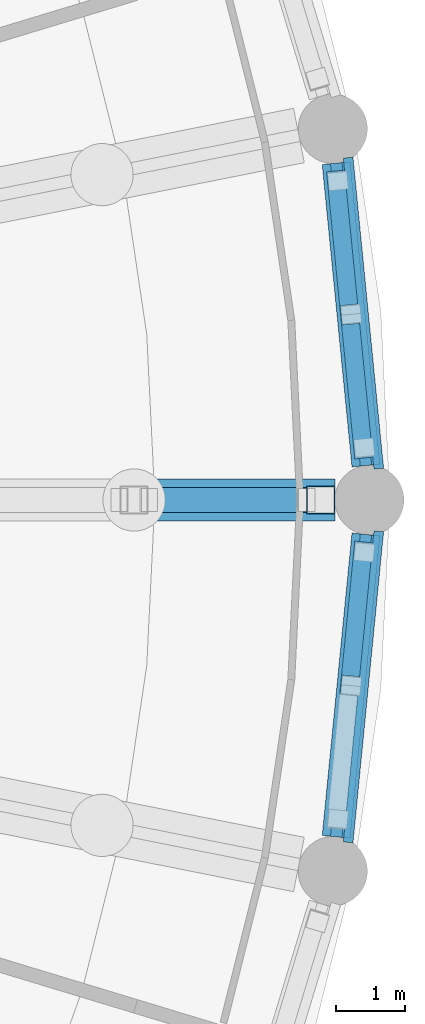
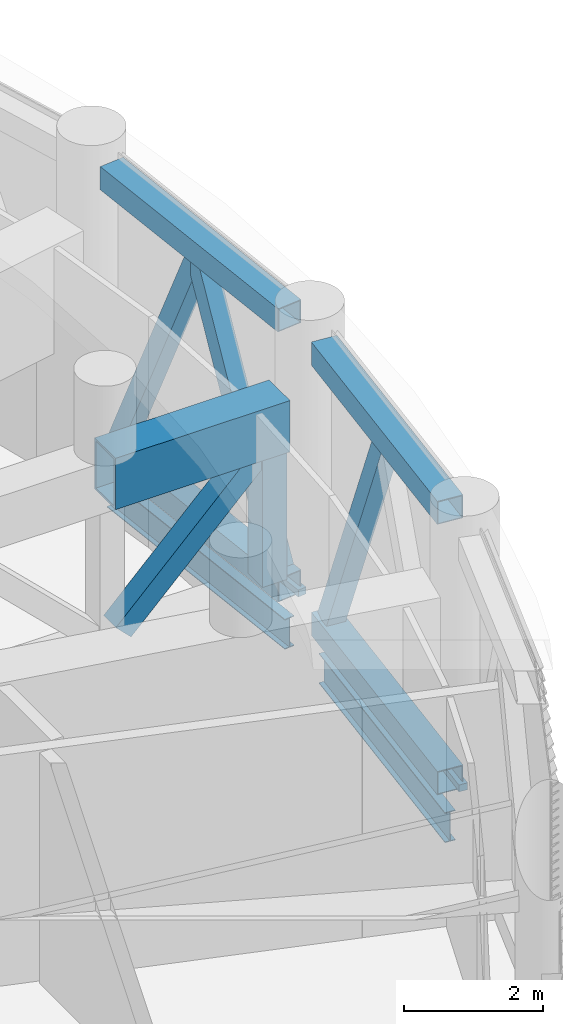
# One storey, part 5 of 24: 12 members, 2 beams, 2 elements without a shape of their own.
"""IFC4 building model written with IfcOpenShell, lengths in metres."""

from ifc_helpers import new_model, si_unit, direction, frame, origin, origin_2d, place, context, subcontext, project, spatial, rectangle, hollow_rectangle, i_section, extrude, material, material_profile, profile_set, type_object, element, aggregate, save


model = new_model("IFC4")

# Units and contexts
model_context = context("Model", 3, precision=1e-05, world=origin(), true_north=direction((0.0, 1.0)))
body_context = subcontext(model_context, "Body", "Model", "MODEL_VIEW")
ifc_project = project(units=[si_unit("LENGTHUNIT", "METRE"), si_unit("AREAUNIT", "SQUARE_METRE"), si_unit("VOLUMEUNIT", "CUBIC_METRE"), si_unit("PLANEANGLEUNIT", "RADIAN"), si_unit("MASSUNIT", "GRAM", prefix="KILO")], contexts=[model_context])

# Site, building, storey
site_placement = place(None, origin())
site = spatial("IfcSite", under=ifc_project, at=site_placement, CompositionType="ELEMENT")
building_placement = place(site_placement, origin())
building = spatial("IfcBuilding", under=site, at=building_placement, Name="Corvane Civic Tower", CompositionType="ELEMENT")
storey_placement = place(building_placement, frame((0.0, 0.0, 257.5)))
storey = spatial("IfcBuildingStorey", under=building, at=storey_placement, Name="L61", CompositionType="ELEMENT", Elevation=257.5)

# Members
ifc_material_1 = material(Name="Steel ASTM A500 Gr C", Category="steel")
ifc_material_profile_1 = material_profile(ifc_material_1, hollow_rectangle(XDim=0.406494140625, YDim=0.406494140625, WallThickness=0.0146484375, at=origin_2d()), Name="HSS16X16X5/8")
ifc_profile_set_1 = profile_set([ifc_material_profile_1], Name="Steel ASTM A500 Gr C")
member_type_1 = type_object("IfcMemberType", Name="BELT CHORD HSS16X16X5/8", PredefinedType="CHORD", material=ifc_profile_set_1)
for number, where, z_axis, x_axis, name in (
    (1, (27.020751953125, 4.867431640625, 4.94677734375), (0.097967711281, -0.995189593769, 0.0), (0.995189593769, 0.097967711281, 0.0), "Belt truss BT-L61"),
    (2, (27.020751953125, 4.867431640625, 0.203125), (0.097967711281, -0.995189593769, 0.0), (0.995189593769, 0.097967711281, 0.0), "Belt truss BT-L61"),
    (3, (27.450927734375, -0.49755859375, 4.94677734375), (-0.097967711281, -0.995189593769, 0.0), (0.995189593769, -0.097967711281, 0.0), "Belt truss BT-L61"),
    (4, (27.450927734375, -0.49755859375, 0.203125), (-0.097967711281, -0.995189593769, 0.0), (0.995189593769, -0.097967711281, 0.0), "Belt truss BT-L61"),
):
    element("IfcMember", number, at=place(storey_placement, frame(where, z_axis=z_axis, x_axis=x_axis)), inside=storey, type_object=member_type_1, Name=name, PredefinedType="CHORD", context=body_context, shape_type="SweptSolid", body=[
        extrude(hollow_rectangle(XDim=0.406494140625, YDim=0.406494140625, WallThickness=0.0146484375, at=origin_2d()), origin(), (0.0, 0.0, 1.0), 4.39111328125),
    ])
ifc_material_2 = material(Name="Steel ASTM A500 Gr C", Category="steel")
ifc_material_profile_2 = material_profile(ifc_material_2, hollow_rectangle(XDim=0.3046875, YDim=0.3046875, WallThickness=0.01171875, at=origin_2d()), Name="HSS12X12X1/2")
ifc_profile_set_2 = profile_set([ifc_material_profile_2], Name="Steel ASTM A500 Gr C")
member_type_2 = type_object("IfcMemberType", Name="BELT DIAGONAL HSS12X12X1/2", PredefinedType="BRACE", material=ifc_profile_set_2)
member_1_placement = place(storey_placement, frame((27.045166015625, 4.61865234375, 0.406494140625), z_axis=(0.040112508344, -0.407288336964, 0.912418323603), x_axis=(0.995185177501, 0.098012562879, 0.0)))
element("IfcMember", 5, at=member_1_placement, inside=storey, type_object=member_type_2, Name="Belt truss BT-L61", PredefinedType="BRACE", context=body_context, shape_type="SweptSolid", body=[
    extrude(hollow_rectangle(XDim=0.3046875, YDim=0.3046875, WallThickness=0.01171875, at=origin_2d()), origin(), (0.0, 0.0, 1.0), 4.75341796875),
])
for number, where, z_axis, x_axis, name in (
    (6, (27.426513671875, 0.746337890625, 0.406494140625), (-0.040111669224, 0.407331176201, 0.912399236566), (-0.99518638285, -0.098000323415, 0.0), "Belt truss BT-L61"),
    (7, (27.426513671875, -0.746337890625, 0.406494140625), (-0.040111669224, -0.407331176201, 0.912399236566), (0.99518638285, -0.098000323415, 0.0), "Belt truss BT-L61"),
):
    element("IfcMember", number, at=place(storey_placement, frame(where, z_axis=z_axis, x_axis=x_axis)), inside=storey, type_object=member_type_2, Name=name, PredefinedType="BRACE", context=body_context, shape_type="SweptSolid", body=[
        extrude(hollow_rectangle(XDim=0.3046875, YDim=0.3046875, WallThickness=0.01171875, at=origin_2d()), origin(), (0.0, 0.0, 1.0), 4.753662109375),
    ])

# Beams
ifc_material_3 = material(Name="Steel ASTM A992 Gr 50", Category="steel")
ifc_material_profile_3 = material_profile(ifc_material_3, i_section(OverallWidth=0.165771484375, OverallDepth=0.5283203125, WebThickness=0.009765625, FlangeThickness=0.013671875, at=origin_2d()), Name="W21X50")
ifc_profile_set_3 = profile_set([ifc_material_profile_3], Name="Steel ASTM A992 Gr 50")
beam_type = type_object("IfcBeamType", Name="EDGE BEAM W21X50", PredefinedType="BEAM", material=ifc_profile_set_3)
for number, where, z_axis, x_axis, name in (
    (8, (27.020751953125, 4.867431640625, -0.6142578125), (0.097967711281, -0.995189593769, 0.0), (0.995189593769, 0.097967711281, 0.0), "BM-L61-E08"),
    (9, (27.450927734375, -0.49755859375, -0.6142578125), (-0.097967711281, -0.995189593769, 0.0), (0.995189593769, -0.097967711281, 0.0), "BM-L61-E09"),
):
    element("IfcBeam", number, at=place(storey_placement, frame(where, z_axis=z_axis, x_axis=x_axis)), inside=storey, type_object=beam_type, Name=name, PredefinedType="BEAM", context=body_context, shape_type="SweptSolid", body=[
        extrude(i_section(OverallWidth=0.165771484375, OverallDepth=0.5283203125, WebThickness=0.009765625, FlangeThickness=0.013671875, at=origin_2d()), origin(), (0.0, 0.0, 1.0), 4.39111328125),
    ])

# Members
ifc_material_4 = material(Name="Steel ASTM A572 Gr 50", Category="steel")
ifc_material_profile_4 = material_profile(ifc_material_4, hollow_rectangle(XDim=0.60009765625, YDim=0.89990234375, WallThickness=0.0400390625, at=origin_2d()), Name="BOX900X600X40")
ifc_profile_set_4 = profile_set([ifc_material_profile_4], Name="Steel ASTM A572 Gr 50")
member_type_3 = type_object("IfcMemberType", Name="OUTRIGGER CHORD BOX900X600X40", PredefinedType="CHORD", material=ifc_profile_set_4)
member_2_placement = place(storey_placement, frame((24.10009765625, 0.0, 3.64990234375), z_axis=(1.0, 0.0, 0.0), x_axis=(0.0, 1.0, 0.0)))
element("IfcMember", 10, at=member_2_placement, inside=storey, type_object=member_type_3, Name="Outrigger truss OT-L61-3", PredefinedType="CHORD", context=body_context, shape_type="SweptSolid", body=[
    extrude(hollow_rectangle(XDim=0.60009765625, YDim=0.89990234375, WallThickness=0.0400390625, at=origin_2d()), origin(), (0.0, 0.0, 1.0), 2.89990234375),
])
ifc_material_5 = material(Name="Steel ASTM A500 Gr C", Category="steel")
ifc_material_profile_5 = material_profile(ifc_material_5, hollow_rectangle(XDim=0.355712890625, YDim=0.355712890625, WallThickness=0.01171875, at=origin_2d()), Name="HSS14X14X1/2")
ifc_profile_set_5 = profile_set([ifc_material_profile_5], Name="Steel ASTM A500 Gr C")
member_type_4 = type_object("IfcMemberType", Name="OUTRIGGER DIAGONAL HSS14X14X1/2", PredefinedType="BRACE", material=ifc_profile_set_5)
member_3_placement = place(storey_placement, frame((24.30322265625, 0.0, 0.89990234375), z_axis=(0.705600861945, 0.0, 0.708609500094), x_axis=(0.0, 1.0, 0.0)))
element("IfcMember", 11, at=member_3_placement, inside=storey, type_object=member_type_4, Name="Outrigger truss OT-L61-3", PredefinedType="BRACE", context=body_context, shape_type="SweptSolid", body=[
    extrude(hollow_rectangle(XDim=0.355712890625, YDim=0.355712890625, WallThickness=0.01171875, at=origin_2d()), origin(), (0.0, 0.0, 1.0), 3.245849609375),
])
ifc_material_6 = material(Name="Steel ASTM A500 Gr C", Category="steel")
ifc_material_profile_6 = material_profile(ifc_material_6, hollow_rectangle(XDim=0.406494140625, YDim=0.406494140625, WallThickness=0.0146484375, at=origin_2d()), Name="HSS16X16X5/8")
ifc_profile_set_6 = profile_set([ifc_material_profile_6], Name="Steel ASTM A500 Gr C")
member_type_5 = type_object("IfcMemberType", Name="OUTRIGGER POST HSS16X16X5/8", PredefinedType="POST", material=ifc_profile_set_6)
member_4_placement = place(storey_placement, frame((26.796875, 0.0, 0.89990234375), z_axis=(0.0, 0.0, 1.0), x_axis=(1.0, 0.0, 0.0)))
element("IfcMember", 12, at=member_4_placement, inside=storey, type_object=member_type_5, Name="Outrigger truss OT-L61-3", PredefinedType="POST", context=body_context, shape_type="SweptSolid", body=[
    extrude(hollow_rectangle(XDim=0.406494140625, YDim=0.406494140625, WallThickness=0.0146484375, at=origin_2d()), origin(), (0.0, 0.0, 1.0), 2.300048828125),
])

# Curtain wall, member
ifc_material_7 = material(Name="Anodised aluminium bronze", Category="aluminium")
curtain_wall_type = type_object("IfcCurtainWallType", Name="TOWER CW-LV LOUVRE SCREEN WALL", PredefinedType="NOTDEFINED", material=ifc_material_7)
curtain_wall_1_placement = place(storey_placement, origin())
curtain_wall_1 = element("IfcCurtainWall", 13, at=curtain_wall_1_placement, inside=storey, type_object=curtain_wall_type, Name="Louvre screen wall CW-LV L61 bay 08", PredefinedType="NOTDEFINED")
ifc_material_8 = material(Name="Anodised aluminium bronze", Category="aluminium")
ifc_material_profile_7 = material_profile(ifc_material_8, rectangle(XDim=0.139892578125, YDim=0.1201171875, at=origin_2d()), Name="TOWER CW-LV TRANSOM 140x120")
ifc_profile_set_7 = profile_set([ifc_material_profile_7], Name="Anodised aluminium bronze")
member_type_6 = type_object("IfcMemberType", Name="TOWER CW-LV TRANSOM 140x120", PredefinedType="USERDEFINED", material=ifc_profile_set_7)
member_5_placement = place(storey_placement, frame((27.192626953125, 4.94775390625, 0.06005859375), z_axis=(0.098042715701, -0.995182207386, 0.0), x_axis=(0.995182207386, 0.098042715701, 0.0)))
member_5 = element("IfcMember", 14, at=member_5_placement, type_object=member_type_6, Name="Transom CW-LV L61 08.1", ObjectType="TRANSOM", PredefinedType="USERDEFINED", context=body_context, shape_type="SweptSolid", body=[
    extrude(rectangle(XDim=0.139892578125, YDim=0.1201171875, at=origin_2d()), origin(), (0.0, 0.0, 1.0), 4.51708984375),
])
aggregate(curtain_wall_1, [member_5])

curtain_wall_2_placement = place(storey_placement, origin())
curtain_wall_2 = element("IfcCurtainWall", 15, at=curtain_wall_2_placement, inside=storey, type_object=curtain_wall_type, Name="Louvre screen wall CW-LV L61 bay 09", PredefinedType="NOTDEFINED")
member_6_placement = place(storey_placement, frame((27.635498046875, -0.452392578125, 0.06005859375), z_axis=(-0.098042715701, -0.995182207386, 0.0), x_axis=(0.995182207386, -0.098042715701, 0.0)))
member_6 = element("IfcMember", 16, at=member_6_placement, type_object=member_type_6, Name="Transom CW-LV L61 09.1", ObjectType="TRANSOM", PredefinedType="USERDEFINED", context=body_context, shape_type="SweptSolid", body=[
    extrude(rectangle(XDim=0.139892578125, YDim=0.1201171875, at=origin_2d()), origin(), (0.0, 0.0, 1.0), 4.51708984375),
])
aggregate(curtain_wall_2, [member_6])

save(model, "model.ifc")
